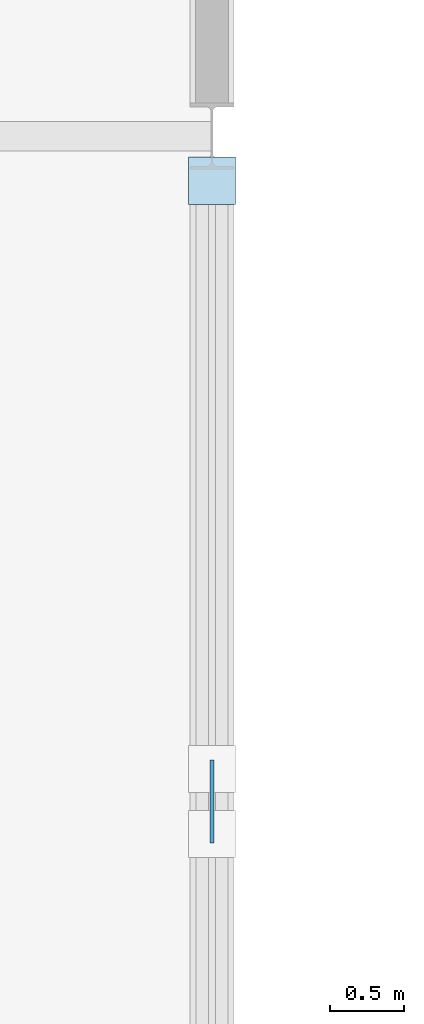
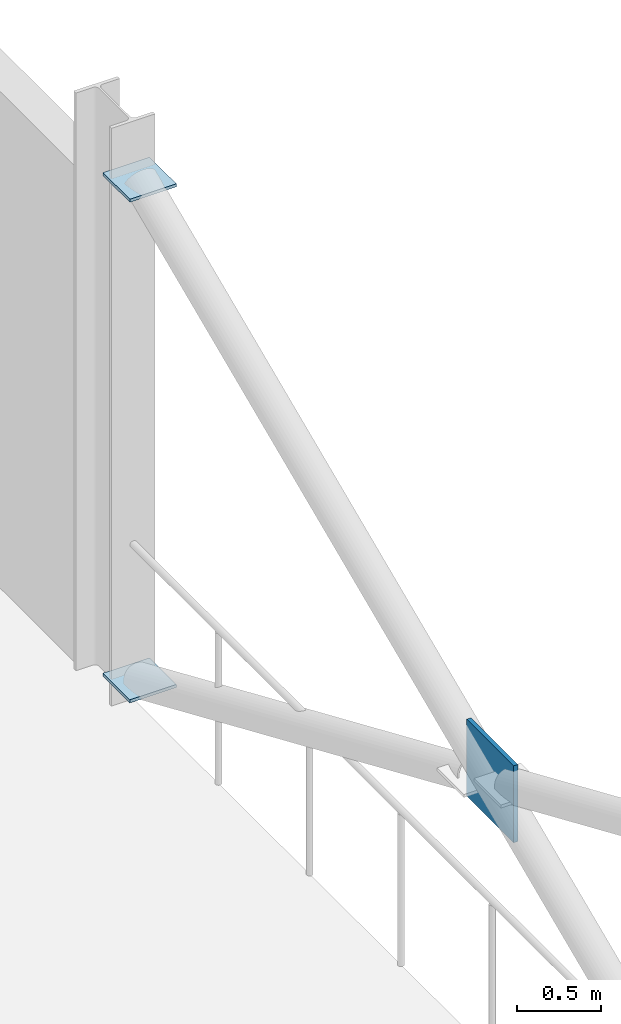
# One storey, part 110 of 132: 3 plates.
"""IFC4 building model written with IfcOpenShell, lengths in metres."""

from ifc_helpers import new_model, si_unit, direction, frame, origin, origin_2d, place, context, subcontext, project, spatial, rectangle, extrude, material, layer, layer_set, type_object, element, save


model = new_model("IFC4")

# Units and contexts
model_context = context("Model", 3, precision=1e-05, world=origin(), true_north=direction((0.0, 1.0)))
body_context = subcontext(model_context, "Body", "Model", "MODEL_VIEW")
ifc_project = project(units=[si_unit("LENGTHUNIT", "METRE"), si_unit("AREAUNIT", "SQUARE_METRE"), si_unit("VOLUMEUNIT", "CUBIC_METRE"), si_unit("PLANEANGLEUNIT", "RADIAN"), si_unit("MASSUNIT", "GRAM", prefix="KILO")], contexts=[model_context])

# Site, building, storey
site_placement = place(None, origin())
site = spatial("IfcSite", under=ifc_project, at=site_placement, CompositionType="ELEMENT")
building_placement = place(site_placement, origin())
building = spatial("IfcBuilding", under=site, at=building_placement, Name="Deido Ridge Mobility Hub", CompositionType="ELEMENT")
storey_placement = place(building_placement, frame((0.0, 0.0, 8.39990234375)))
storey = spatial("IfcBuildingStorey", under=building, at=storey_placement, Name="L02", CompositionType="ELEMENT", Elevation=8.39990234375)

# Plates
ifc_material = material(Name="Steel S355J2 EN 10025-2", Category="steel")
ifc_layer_1 = layer(ifc_material, 0.02197265625, Name="Steel S355J2 EN 10025-2")
ifc_layer_set_1 = layer_set([ifc_layer_1], Name="Steel S355J2 EN 10025-2")
plate_type_1 = type_object("IfcPlateType", Name="PLT-CAP-22", PredefinedType="USERDEFINED", material=ifc_layer_set_1)
for number, where, z_axis, x_axis, name in (
    (1, (180.0, 62.699951171875, 3.80908203125), (0.0, 0.0, 1.0), (1.0, 0.0, 0.0), "Brace sealed end-cap plate EC2 16"),
    (2, (180.0, 62.699951171875, 0.169189453125), (0.0, 0.0, 1.0), (1.0, 0.0, 0.0), "Brace sealed end-cap plate EC2 17"),
):
    element("IfcPlate", number, at=place(storey_placement, frame(where, z_axis=z_axis, x_axis=x_axis)), inside=storey, type_object=plate_type_1, Name=name, ObjectType="END CAP PLATE", PredefinedType="USERDEFINED", context=body_context, shape_type="SweptSolid", body=[
        extrude(rectangle(XDim=0.320068359375, YDim=0.320068359375, at=origin_2d()), origin(), (0.0, 0.0, 1.0), 0.02197265625),
    ])
ifc_layer_2 = layer(ifc_material, 0.028076171875, Name="Steel S355J2 EN 10025-2")
ifc_layer_set_2 = layer_set([ifc_layer_2], Name="Steel S355J2 EN 10025-2")
plate_type_2 = type_object("IfcPlateType", Name="PLT-GUS-28", PredefinedType="USERDEFINED", material=ifc_layer_set_2)
plate_placement = place(storey_placement, frame((180.0, 58.5, 1.719970703125), z_axis=(0.0, 0.0, 1.0), x_axis=(0.0, 1.0, 0.0)))
element("IfcPlate", 3, at=plate_placement, inside=storey, type_object=plate_type_2, Name="X-brace central crossing gusset plate GP3 21", ObjectType="GUSSET PLATE", PredefinedType="USERDEFINED", context=body_context, shape_type="SweptSolid", body=[
    extrude(rectangle(XDim=0.56005859375, YDim=0.028076171875, at=origin_2d()), origin(), (0.0, 0.0, 1.0), 0.56005859375),
])

save(model, "model.ifc")
